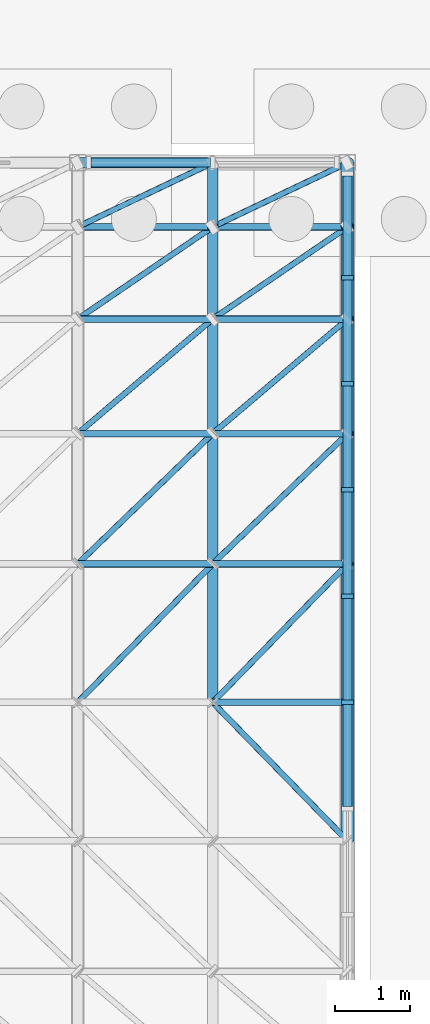
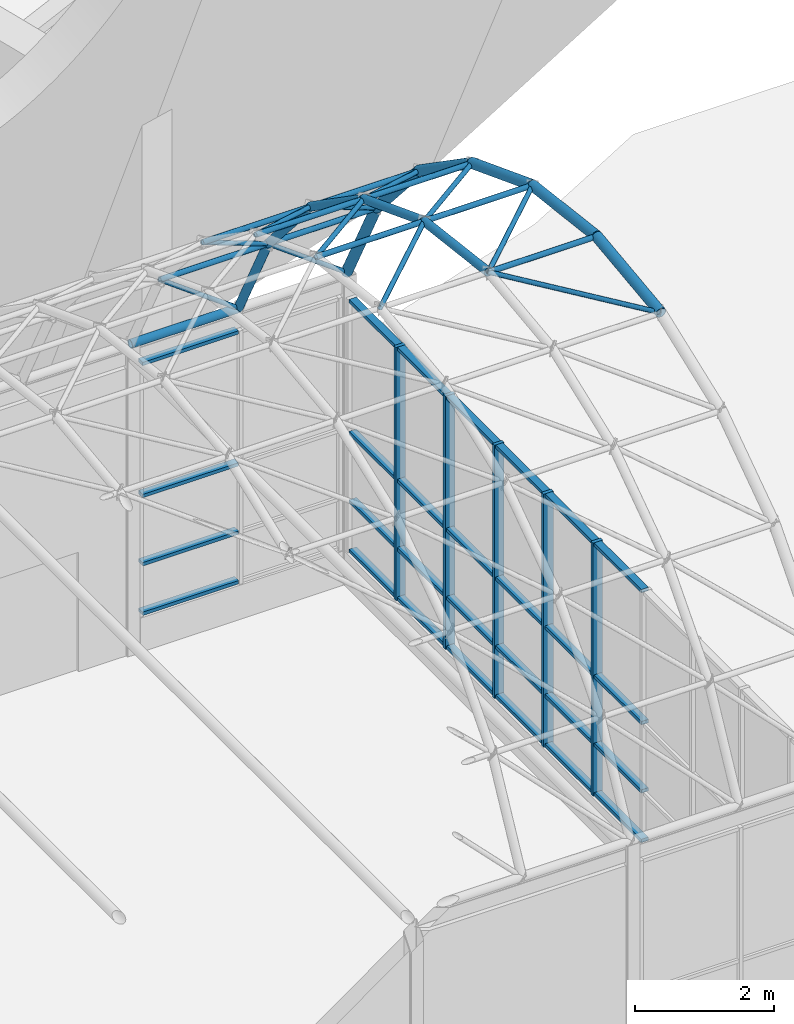
# One storey, part 37 of 116: 65 members, 2 elements without a shape of their own.
"""IFC4 building model written with IfcOpenShell, lengths in metres."""

from ifc_helpers import new_model, si_unit, direction, frame, origin, origin_2d, place, context, subcontext, project, spatial, rectangle, hollow_circle, extrude, material, layer, layer_set, material_profile, profile_set, type_object, element, aggregate, save


model = new_model("IFC4")

# Units and contexts
model_context = context("Model", 3, precision=1e-05, world=origin(), true_north=direction((0.0, 1.0)))
body_context = subcontext(model_context, "Body", "Model", "MODEL_VIEW")
ifc_project = project(units=[si_unit("LENGTHUNIT", "METRE"), si_unit("AREAUNIT", "SQUARE_METRE"), si_unit("VOLUMEUNIT", "CUBIC_METRE"), si_unit("PLANEANGLEUNIT", "RADIAN"), si_unit("MASSUNIT", "GRAM", prefix="KILO")], contexts=[model_context])

# Site, building, storey
site_placement = place(None, origin())
site = spatial("IfcSite", under=ifc_project, at=site_placement, CompositionType="ELEMENT")
building_placement = place(site_placement, origin())
building = spatial("IfcBuilding", under=site, at=building_placement, Name="Ardhachandra Cancer Care Centre", CompositionType="ELEMENT")
storey_placement = place(building_placement, origin())
storey = spatial("IfcBuildingStorey", under=building, at=storey_placement, Name="L00", CompositionType="ELEMENT", Elevation=0.0)

# Curtain wall, members
ifc_material_1 = material(Name="Aluminium extrusion", Category="aluminium")
ifc_layer = layer(ifc_material_1, 0.14990234375)
ifc_layer_set = layer_set([ifc_layer], Name="Aluminium extrusion")
curtain_wall_type = type_object("IfcCurtainWallType", Name="Curtain wall run", PredefinedType="NOTDEFINED", material=ifc_layer_set)
curtain_wall_1_placement = place(storey_placement, origin())
curtain_wall_1 = element("IfcCurtainWall", 1, at=curtain_wall_1_placement, inside=storey, type_object=curtain_wall_type, Name="Curtain wall L00 e/0092400_0007200", PredefinedType="NOTDEFINED")
ifc_material_2 = material(Name="Aluminium extrusion", Category="aluminium")
ifc_material_profile_1 = material_profile(ifc_material_2, rectangle(XDim=0.159912109375, YDim=0.06005859375, at=origin_2d()), Name="Curtain wall mullion 60 x 160")
ifc_profile_set_1 = profile_set([ifc_material_profile_1], Name="Aluminium extrusion")
member_type_1 = type_object("IfcMemberType", Name="Curtain wall mullion 60 x 160", PredefinedType="MULLION", material=ifc_profile_set_1)
member_1_placement = place(storey_placement, frame((92.39990234375, 14.39990234375, 0.60009765625), z_axis=(0.0, 0.0, 1.0), x_axis=(-1.0, 0.0, 0.0)))
member_1 = element("IfcMember", 2, at=member_1_placement, type_object=member_type_1, Name="CW mullion 6", PredefinedType="MULLION", context=body_context, shape_type="SweptSolid", body=[
    extrude(rectangle(XDim=0.159912109375, YDim=0.06005859375, at=origin_2d()), origin(), (0.0, 0.0, 1.0), 4.449951171875),
])
member_2_placement = place(storey_placement, frame((92.39990234375, 15.81689453125, 0.60009765625), z_axis=(0.0, 0.0, 1.0), x_axis=(-1.0, 0.0, 0.0)))
member_2 = element("IfcMember", 3, at=member_2_placement, type_object=member_type_1, Name="CW mullion 7", PredefinedType="MULLION", context=body_context, shape_type="SweptSolid", body=[
    extrude(rectangle(XDim=0.159912109375, YDim=0.06005859375, at=origin_2d()), origin(), (0.0, 0.0, 1.0), 4.449951171875),
])
member_3_placement = place(storey_placement, frame((92.39990234375, 17.23388671875, 0.60009765625), z_axis=(0.0, 0.0, 1.0), x_axis=(-1.0, 0.0, 0.0)))
member_3 = element("IfcMember", 4, at=member_3_placement, type_object=member_type_1, Name="CW mullion 8", PredefinedType="MULLION", context=body_context, shape_type="SweptSolid", body=[
    extrude(rectangle(XDim=0.159912109375, YDim=0.06005859375, at=origin_2d()), origin(), (0.0, 0.0, 1.0), 4.449951171875),
])
member_4_placement = place(storey_placement, frame((92.39990234375, 18.65087890625, 0.60009765625), z_axis=(0.0, 0.0, 1.0), x_axis=(-1.0, 0.0, 0.0)))
member_4 = element("IfcMember", 5, at=member_4_placement, type_object=member_type_1, Name="CW mullion 9", PredefinedType="MULLION", context=body_context, shape_type="SweptSolid", body=[
    extrude(rectangle(XDim=0.159912109375, YDim=0.06005859375, at=origin_2d()), origin(), (0.0, 0.0, 1.0), 4.449951171875),
])
member_5_placement = place(storey_placement, frame((92.39990234375, 20.068115234375, 0.60009765625), z_axis=(0.0, 0.0, 1.0), x_axis=(-1.0, 0.0, 0.0)))
member_5 = element("IfcMember", 6, at=member_5_placement, type_object=member_type_1, Name="CW mullion 10", PredefinedType="MULLION", context=body_context, shape_type="SweptSolid", body=[
    extrude(rectangle(XDim=0.159912109375, YDim=0.06005859375, at=origin_2d()), origin(), (0.0, 0.0, 1.0), 4.449951171875),
])

curtain_wall_2_placement = place(storey_placement, origin())
curtain_wall_2 = element("IfcCurtainWall", 7, at=curtain_wall_2_placement, inside=storey, type_object=curtain_wall_type, Name="Curtain wall L00 n/0088800_0021600", PredefinedType="NOTDEFINED")
ifc_material_3 = material(Name="Aluminium extrusion", Category="aluminium")
ifc_material_profile_2 = material_profile(ifc_material_3, rectangle(XDim=0.1201171875, YDim=0.06005859375, at=origin_2d()), Name="Curtain wall transom 60 x 120")
ifc_profile_set_2 = profile_set([ifc_material_profile_2], Name="Aluminium extrusion")
member_type_2 = type_object("IfcMemberType", Name="Curtain wall transom 60 x 120", PredefinedType="USERDEFINED", material=ifc_profile_set_2)
member_6_placement = place(storey_placement, frame((88.97509765625, 21.60009765625, 0.6298828125), z_axis=(1.0, 0.0, 0.0), x_axis=(0.0, 1.0, 0.0)))
member_6 = element("IfcMember", 8, at=member_6_placement, type_object=member_type_2, Name="CW transom 1.1", ObjectType="TRANSOM", PredefinedType="USERDEFINED", context=body_context, shape_type="SweptSolid", body=[
    extrude(rectangle(XDim=0.1201171875, YDim=0.06005859375, at=origin_2d()), origin(), (0.0, 0.0, 1.0), 1.594970703125),
])
member_7_placement = place(storey_placement, frame((88.97509765625, 21.60009765625, 1.5), z_axis=(1.0, 0.0, 0.0), x_axis=(0.0, 1.0, 0.0)))
member_7 = element("IfcMember", 9, at=member_7_placement, type_object=member_type_2, Name="CW transom 1.2", ObjectType="TRANSOM", PredefinedType="USERDEFINED", context=body_context, shape_type="SweptSolid", body=[
    extrude(rectangle(XDim=0.1201171875, YDim=0.06005859375, at=origin_2d()), origin(), (0.0, 0.0, 1.0), 1.594970703125),
])
member_8_placement = place(storey_placement, frame((88.97509765625, 21.60009765625, 2.699951171875), z_axis=(1.0, 0.0, 0.0), x_axis=(0.0, 1.0, 0.0)))
member_8 = element("IfcMember", 10, at=member_8_placement, type_object=member_type_2, Name="CW transom 1.3", ObjectType="TRANSOM", PredefinedType="USERDEFINED", context=body_context, shape_type="SweptSolid", body=[
    extrude(rectangle(XDim=0.1201171875, YDim=0.06005859375, at=origin_2d()), origin(), (0.0, 0.0, 1.0), 1.594970703125),
])
member_9_placement = place(storey_placement, frame((88.97509765625, 21.60009765625, 5.02001953125), z_axis=(1.0, 0.0, 0.0), x_axis=(0.0, 1.0, 0.0)))
member_9 = element("IfcMember", 11, at=member_9_placement, type_object=member_type_2, Name="CW transom 1.4", ObjectType="TRANSOM", PredefinedType="USERDEFINED", context=body_context, shape_type="SweptSolid", body=[
    extrude(rectangle(XDim=0.1201171875, YDim=0.06005859375, at=origin_2d()), origin(), (0.0, 0.0, 1.0), 1.594970703125),
])
aggregate(curtain_wall_2, [member_6, member_7, member_8, member_9])

# Member
member_10_placement = place(storey_placement, frame((92.39990234375, 13.012939453125, 0.6298828125), z_axis=(0.0, 1.0, 0.0), x_axis=(-1.0, 0.0, 0.0)))
member_10 = element("IfcMember", 12, at=member_10_placement, type_object=member_type_2, Name="CW transom 5.1", ObjectType="TRANSOM", PredefinedType="USERDEFINED", context=body_context, shape_type="SweptSolid", body=[
    extrude(rectangle(XDim=0.1201171875, YDim=0.06005859375, at=origin_2d()), origin(), (0.0, 0.0, 1.0), 1.357177734375),
])

member_11_placement = place(storey_placement, frame((92.39990234375, 13.012939453125, 1.5), z_axis=(0.0, 1.0, 0.0), x_axis=(-1.0, 0.0, 0.0)))
member_11 = element("IfcMember", 13, at=member_11_placement, type_object=member_type_2, Name="CW transom 5.2", ObjectType="TRANSOM", PredefinedType="USERDEFINED", context=body_context, shape_type="SweptSolid", body=[
    extrude(rectangle(XDim=0.1201171875, YDim=0.06005859375, at=origin_2d()), origin(), (0.0, 0.0, 1.0), 1.357177734375),
])

member_12_placement = place(storey_placement, frame((92.39990234375, 13.012939453125, 2.699951171875), z_axis=(0.0, 1.0, 0.0), x_axis=(-1.0, 0.0, 0.0)))
member_12 = element("IfcMember", 14, at=member_12_placement, type_object=member_type_2, Name="CW transom 5.3", ObjectType="TRANSOM", PredefinedType="USERDEFINED", context=body_context, shape_type="SweptSolid", body=[
    extrude(rectangle(XDim=0.1201171875, YDim=0.06005859375, at=origin_2d()), origin(), (0.0, 0.0, 1.0), 1.357177734375),
])

member_13_placement = place(storey_placement, frame((92.39990234375, 13.012939453125, 5.02001953125), z_axis=(0.0, 1.0, 0.0), x_axis=(-1.0, 0.0, 0.0)))
member_13 = element("IfcMember", 15, at=member_13_placement, type_object=member_type_2, Name="CW transom 5.4", ObjectType="TRANSOM", PredefinedType="USERDEFINED", context=body_context, shape_type="SweptSolid", body=[
    extrude(rectangle(XDim=0.1201171875, YDim=0.06005859375, at=origin_2d()), origin(), (0.0, 0.0, 1.0), 1.357177734375),
])

member_14_placement = place(storey_placement, frame((92.39990234375, 14.429931640625, 0.6298828125), z_axis=(0.0, 1.0, 0.0), x_axis=(-1.0, 0.0, 0.0)))
member_14 = element("IfcMember", 16, at=member_14_placement, type_object=member_type_2, Name="CW transom 6.1", ObjectType="TRANSOM", PredefinedType="USERDEFINED", context=body_context, shape_type="SweptSolid", body=[
    extrude(rectangle(XDim=0.1201171875, YDim=0.06005859375, at=origin_2d()), origin(), (0.0, 0.0, 1.0), 1.357177734375),
])

member_15_placement = place(storey_placement, frame((92.39990234375, 14.429931640625, 1.5), z_axis=(0.0, 1.0, 0.0), x_axis=(-1.0, 0.0, 0.0)))
member_15 = element("IfcMember", 17, at=member_15_placement, type_object=member_type_2, Name="CW transom 6.2", ObjectType="TRANSOM", PredefinedType="USERDEFINED", context=body_context, shape_type="SweptSolid", body=[
    extrude(rectangle(XDim=0.1201171875, YDim=0.06005859375, at=origin_2d()), origin(), (0.0, 0.0, 1.0), 1.357177734375),
])

member_16_placement = place(storey_placement, frame((92.39990234375, 14.429931640625, 2.699951171875), z_axis=(0.0, 1.0, 0.0), x_axis=(-1.0, 0.0, 0.0)))
member_16 = element("IfcMember", 18, at=member_16_placement, type_object=member_type_2, Name="CW transom 6.3", ObjectType="TRANSOM", PredefinedType="USERDEFINED", context=body_context, shape_type="SweptSolid", body=[
    extrude(rectangle(XDim=0.1201171875, YDim=0.06005859375, at=origin_2d()), origin(), (0.0, 0.0, 1.0), 1.357177734375),
])

member_17_placement = place(storey_placement, frame((92.39990234375, 14.429931640625, 5.02001953125), z_axis=(0.0, 1.0, 0.0), x_axis=(-1.0, 0.0, 0.0)))
member_17 = element("IfcMember", 19, at=member_17_placement, type_object=member_type_2, Name="CW transom 6.4", ObjectType="TRANSOM", PredefinedType="USERDEFINED", context=body_context, shape_type="SweptSolid", body=[
    extrude(rectangle(XDim=0.1201171875, YDim=0.06005859375, at=origin_2d()), origin(), (0.0, 0.0, 1.0), 1.357177734375),
])

member_18_placement = place(storey_placement, frame((92.39990234375, 15.846923828125, 0.6298828125), z_axis=(0.0, 1.0, 0.0), x_axis=(-1.0, 0.0, 0.0)))
member_18 = element("IfcMember", 20, at=member_18_placement, type_object=member_type_2, Name="CW transom 7.1", ObjectType="TRANSOM", PredefinedType="USERDEFINED", context=body_context, shape_type="SweptSolid", body=[
    extrude(rectangle(XDim=0.1201171875, YDim=0.06005859375, at=origin_2d()), origin(), (0.0, 0.0, 1.0), 1.357177734375),
])

member_19_placement = place(storey_placement, frame((92.39990234375, 15.846923828125, 1.5), z_axis=(0.0, 1.0, 0.0), x_axis=(-1.0, 0.0, 0.0)))
member_19 = element("IfcMember", 21, at=member_19_placement, type_object=member_type_2, Name="CW transom 7.2", ObjectType="TRANSOM", PredefinedType="USERDEFINED", context=body_context, shape_type="SweptSolid", body=[
    extrude(rectangle(XDim=0.1201171875, YDim=0.06005859375, at=origin_2d()), origin(), (0.0, 0.0, 1.0), 1.357177734375),
])

member_20_placement = place(storey_placement, frame((92.39990234375, 15.846923828125, 2.699951171875), z_axis=(0.0, 1.0, 0.0), x_axis=(-1.0, 0.0, 0.0)))
member_20 = element("IfcMember", 22, at=member_20_placement, type_object=member_type_2, Name="CW transom 7.3", ObjectType="TRANSOM", PredefinedType="USERDEFINED", context=body_context, shape_type="SweptSolid", body=[
    extrude(rectangle(XDim=0.1201171875, YDim=0.06005859375, at=origin_2d()), origin(), (0.0, 0.0, 1.0), 1.357177734375),
])

member_21_placement = place(storey_placement, frame((92.39990234375, 15.846923828125, 5.02001953125), z_axis=(0.0, 1.0, 0.0), x_axis=(-1.0, 0.0, 0.0)))
member_21 = element("IfcMember", 23, at=member_21_placement, type_object=member_type_2, Name="CW transom 7.4", ObjectType="TRANSOM", PredefinedType="USERDEFINED", context=body_context, shape_type="SweptSolid", body=[
    extrude(rectangle(XDim=0.1201171875, YDim=0.06005859375, at=origin_2d()), origin(), (0.0, 0.0, 1.0), 1.357177734375),
])

member_22_placement = place(storey_placement, frame((92.39990234375, 17.263916015625, 0.6298828125), z_axis=(0.0, 1.0, 0.0), x_axis=(-1.0, 0.0, 0.0)))
member_22 = element("IfcMember", 24, at=member_22_placement, type_object=member_type_2, Name="CW transom 8.1", ObjectType="TRANSOM", PredefinedType="USERDEFINED", context=body_context, shape_type="SweptSolid", body=[
    extrude(rectangle(XDim=0.1201171875, YDim=0.06005859375, at=origin_2d()), origin(), (0.0, 0.0, 1.0), 1.357177734375),
])

member_23_placement = place(storey_placement, frame((92.39990234375, 17.263916015625, 1.5), z_axis=(0.0, 1.0, 0.0), x_axis=(-1.0, 0.0, 0.0)))
member_23 = element("IfcMember", 25, at=member_23_placement, type_object=member_type_2, Name="CW transom 8.2", ObjectType="TRANSOM", PredefinedType="USERDEFINED", context=body_context, shape_type="SweptSolid", body=[
    extrude(rectangle(XDim=0.1201171875, YDim=0.06005859375, at=origin_2d()), origin(), (0.0, 0.0, 1.0), 1.357177734375),
])

member_24_placement = place(storey_placement, frame((92.39990234375, 17.263916015625, 2.699951171875), z_axis=(0.0, 1.0, 0.0), x_axis=(-1.0, 0.0, 0.0)))
member_24 = element("IfcMember", 26, at=member_24_placement, type_object=member_type_2, Name="CW transom 8.3", ObjectType="TRANSOM", PredefinedType="USERDEFINED", context=body_context, shape_type="SweptSolid", body=[
    extrude(rectangle(XDim=0.1201171875, YDim=0.06005859375, at=origin_2d()), origin(), (0.0, 0.0, 1.0), 1.357177734375),
])

member_25_placement = place(storey_placement, frame((92.39990234375, 17.263916015625, 5.02001953125), z_axis=(0.0, 1.0, 0.0), x_axis=(-1.0, 0.0, 0.0)))
member_25 = element("IfcMember", 27, at=member_25_placement, type_object=member_type_2, Name="CW transom 8.4", ObjectType="TRANSOM", PredefinedType="USERDEFINED", context=body_context, shape_type="SweptSolid", body=[
    extrude(rectangle(XDim=0.1201171875, YDim=0.06005859375, at=origin_2d()), origin(), (0.0, 0.0, 1.0), 1.357177734375),
])

member_26_placement = place(storey_placement, frame((92.39990234375, 18.680908203125, 0.6298828125), z_axis=(0.0, 1.0, 0.0), x_axis=(-1.0, 0.0, 0.0)))
member_26 = element("IfcMember", 28, at=member_26_placement, type_object=member_type_2, Name="CW transom 9.1", ObjectType="TRANSOM", PredefinedType="USERDEFINED", context=body_context, shape_type="SweptSolid", body=[
    extrude(rectangle(XDim=0.1201171875, YDim=0.06005859375, at=origin_2d()), origin(), (0.0, 0.0, 1.0), 1.357177734375),
])

member_27_placement = place(storey_placement, frame((92.39990234375, 18.680908203125, 1.5), z_axis=(0.0, 1.0, 0.0), x_axis=(-1.0, 0.0, 0.0)))
member_27 = element("IfcMember", 29, at=member_27_placement, type_object=member_type_2, Name="CW transom 9.2", ObjectType="TRANSOM", PredefinedType="USERDEFINED", context=body_context, shape_type="SweptSolid", body=[
    extrude(rectangle(XDim=0.1201171875, YDim=0.06005859375, at=origin_2d()), origin(), (0.0, 0.0, 1.0), 1.357177734375),
])

member_28_placement = place(storey_placement, frame((92.39990234375, 18.680908203125, 2.699951171875), z_axis=(0.0, 1.0, 0.0), x_axis=(-1.0, 0.0, 0.0)))
member_28 = element("IfcMember", 30, at=member_28_placement, type_object=member_type_2, Name="CW transom 9.3", ObjectType="TRANSOM", PredefinedType="USERDEFINED", context=body_context, shape_type="SweptSolid", body=[
    extrude(rectangle(XDim=0.1201171875, YDim=0.06005859375, at=origin_2d()), origin(), (0.0, 0.0, 1.0), 1.357177734375),
])

member_29_placement = place(storey_placement, frame((92.39990234375, 18.680908203125, 5.02001953125), z_axis=(0.0, 1.0, 0.0), x_axis=(-1.0, 0.0, 0.0)))
member_29 = element("IfcMember", 31, at=member_29_placement, type_object=member_type_2, Name="CW transom 9.4", ObjectType="TRANSOM", PredefinedType="USERDEFINED", context=body_context, shape_type="SweptSolid", body=[
    extrude(rectangle(XDim=0.1201171875, YDim=0.06005859375, at=origin_2d()), origin(), (0.0, 0.0, 1.0), 1.357177734375),
])

member_30_placement = place(storey_placement, frame((92.39990234375, 20.097900390625, 0.6298828125), z_axis=(0.0, 1.0, 0.0), x_axis=(-1.0, 0.0, 0.0)))
member_30 = element("IfcMember", 32, at=member_30_placement, type_object=member_type_2, Name="CW transom 10.1", ObjectType="TRANSOM", PredefinedType="USERDEFINED", context=body_context, shape_type="SweptSolid", body=[
    extrude(rectangle(XDim=0.1201171875, YDim=0.06005859375, at=origin_2d()), origin(), (0.0, 0.0, 1.0), 1.3271484375),
])

member_31_placement = place(storey_placement, frame((92.39990234375, 20.097900390625, 1.5), z_axis=(0.0, 1.0, 0.0), x_axis=(-1.0, 0.0, 0.0)))
member_31 = element("IfcMember", 33, at=member_31_placement, type_object=member_type_2, Name="CW transom 10.2", ObjectType="TRANSOM", PredefinedType="USERDEFINED", context=body_context, shape_type="SweptSolid", body=[
    extrude(rectangle(XDim=0.1201171875, YDim=0.06005859375, at=origin_2d()), origin(), (0.0, 0.0, 1.0), 1.3271484375),
])

member_32_placement = place(storey_placement, frame((92.39990234375, 20.097900390625, 2.699951171875), z_axis=(0.0, 1.0, 0.0), x_axis=(-1.0, 0.0, 0.0)))
member_32 = element("IfcMember", 34, at=member_32_placement, type_object=member_type_2, Name="CW transom 10.3", ObjectType="TRANSOM", PredefinedType="USERDEFINED", context=body_context, shape_type="SweptSolid", body=[
    extrude(rectangle(XDim=0.1201171875, YDim=0.06005859375, at=origin_2d()), origin(), (0.0, 0.0, 1.0), 1.3271484375),
])

member_33_placement = place(storey_placement, frame((92.39990234375, 20.097900390625, 5.02001953125), z_axis=(0.0, 1.0, 0.0), x_axis=(-1.0, 0.0, 0.0)))
member_33 = element("IfcMember", 35, at=member_33_placement, type_object=member_type_2, Name="CW transom 10.4", ObjectType="TRANSOM", PredefinedType="USERDEFINED", context=body_context, shape_type="SweptSolid", body=[
    extrude(rectangle(XDim=0.1201171875, YDim=0.06005859375, at=origin_2d()), origin(), (0.0, 0.0, 1.0), 1.3271484375),
])

aggregate(curtain_wall_1, [member_1, member_2, member_3, member_4, member_5, member_10, member_11, member_12, member_13, member_14, member_15, member_16, member_17, member_18, member_19, member_20, member_21, member_22, member_23, member_24, member_25, member_26, member_27, member_28, member_29, member_30, member_31, member_32, member_33])

# Members
ifc_material_4 = material(Name="Steel E350 (IS 2062)", Category="steel")
ifc_material_profile_3 = material_profile(ifc_material_4, hollow_circle(Radius=0.0380859375, WallThickness=0.00390625, at=origin_2d()), Name="CHS 76.1x4.0")
ifc_profile_set_3 = profile_set([ifc_material_profile_3], Name="Steel E350 (IS 2062)")
member_type_3 = type_object("IfcMemberType", Name="Pavilion shell Diagonal CHS 76.1x4.0", PredefinedType="BRACE", material=ifc_profile_set_3)
for number, where, z_axis, x_axis, name in (
    (36, (88.800048828125, 14.39990234375, 10.39990234375), (0.695217937392, 0.713510664891, -0.087031894237), (-0.716228375072, 0.697865971905, 0.0), "Pavilion shell diagonal 14-05"),
    (37, (88.800048828125, 16.247314453125, 10.174560546875), (0.69522740722, 0.671653983674, -0.25600737971), (-0.694808600346, 0.7191946947, 0.0), "Pavilion shell diagonal 14-06"),
    (38, (88.800048828125, 17.986328125, 9.51171875), (0.695237078341, 0.590381031804, -0.409994685559), (-0.647285228249, 0.762247881788, 0.0), "Pavilion shell diagonal 14-07"),
):
    element("IfcMember", number, at=place(storey_placement, frame(where, z_axis=z_axis, x_axis=x_axis)), inside=storey, type_object=member_type_3, Name=name, PredefinedType="BRACE", context=body_context, shape_type="SweptSolid", body=[
        extrude(hollow_circle(Radius=0.0380859375, WallThickness=0.00390625, at=origin_2d()), origin(), (0.0, 0.0, 1.0), 2.589111328125),
    ])
member_34_placement = place(storey_placement, frame((88.800048828125, 19.514892578125, 8.4501953125), z_axis=(0.695197085973, 0.474559464764, -0.539902144891), x_axis=(-0.563792083266, 0.825916755398, 0.0)))
element("IfcMember", 39, at=member_34_placement, inside=storey, type_object=member_type_3, Name="Pavilion shell diagonal 14-08", PredefinedType="BRACE", context=body_context, shape_type="SweptSolid", body=[
    extrude(hollow_circle(Radius=0.0380859375, WallThickness=0.00390625, at=origin_2d()), origin(), (0.0, 0.0, 1.0), 2.58935546875),
])
member_35_placement = place(storey_placement, frame((88.800048828125, 20.74365234375, 7.05224609375), z_axis=(0.695216484809, 0.330777082424, -0.638169696079), x_axis=(-0.429638804888, 0.903000829088, 0.0)))
element("IfcMember", 40, at=member_35_placement, inside=storey, type_object=member_type_3, Name="Pavilion shell diagonal 14-09", PredefinedType="BRACE", context=body_context, shape_type="SweptSolid", body=[
    extrude(hollow_circle(Radius=0.0380859375, WallThickness=0.00390625, at=origin_2d()), origin(), (0.0, 0.0, 1.0), 2.589111328125),
])
member_36_placement = place(storey_placement, frame((92.39990234375, 12.552734375, 10.174560546875), z_axis=(-0.695215992153, 0.713511149841, 0.087043456424), x_axis=(-0.716229588145, -0.69786472691, 0.0)))
element("IfcMember", 41, at=member_36_placement, inside=storey, type_object=member_type_3, Name="Pavilion shell diagonal 16-04", PredefinedType="BRACE", context=body_context, shape_type="SweptSolid", body=[
    extrude(hollow_circle(Radius=0.0380859375, WallThickness=0.00390625, at=origin_2d()), origin(), (0.0, 0.0, 1.0), 2.5888671875),
])
member_37_placement = place(storey_placement, frame((90.60009765625, 14.39990234375, 10.39990234375), z_axis=(0.695169214351, 0.713557439636, -0.087037599681), x_axis=(-0.716275686375, 0.697817412443, 0.0)))
element("IfcMember", 42, at=member_37_placement, inside=storey, type_object=member_type_3, Name="Pavilion shell diagonal 15-05", PredefinedType="BRACE", context=body_context, shape_type="SweptSolid", body=[
    extrude(hollow_circle(Radius=0.0380859375, WallThickness=0.00390625, at=origin_2d()), origin(), (0.0, 0.0, 1.0), 2.589111328125),
])
for number, where, z_axis, x_axis, name in (
    (43, (90.60009765625, 16.247314453125, 10.174560546875), (0.695178684757, 0.671698015671, -0.256024162929), (-0.694857345354, 0.71914759932, 0.0), "Pavilion shell diagonal 15-06"),
    (44, (90.60009765625, 17.986328125, 9.51171875), (0.695188356468, 0.590419736821, -0.410021564558), (-0.647336239479, 0.762204561163, 0.0), "Pavilion shell diagonal 15-07"),
):
    element("IfcMember", number, at=place(storey_placement, frame(where, z_axis=z_axis, x_axis=x_axis)), inside=storey, type_object=member_type_3, Name=name, PredefinedType="BRACE", context=body_context, shape_type="SweptSolid", body=[
        extrude(hollow_circle(Radius=0.0380859375, WallThickness=0.00390625, at=origin_2d()), origin(), (0.0, 0.0, 1.0), 2.5888671875),
    ])
for number, where, z_axis, x_axis, name in (
    (45, (90.60009765625, 19.514892578125, 8.4501953125), (0.69514836166, 0.474590573011, -0.539937536471), (-0.563844248133, 0.825881143898, 0.0), "Pavilion shell diagonal 15-08"),
    (46, (90.60009765625, 20.74365234375, 7.05224609375), (0.69516776168, 0.330798766681, -0.638211531613), (-0.429686325077, 0.902978217922, 0.0), "Pavilion shell diagonal 15-09"),
):
    element("IfcMember", number, at=place(storey_placement, frame(where, z_axis=z_axis, x_axis=x_axis)), inside=storey, type_object=member_type_3, Name=name, PredefinedType="BRACE", context=body_context, shape_type="SweptSolid", body=[
        extrude(hollow_circle(Radius=0.0380859375, WallThickness=0.00390625, at=origin_2d()), origin(), (0.0, 0.0, 1.0), 2.589111328125),
    ])
ifc_material_5 = material(Name="Steel E350 (IS 2062)", Category="steel")
ifc_material_profile_4 = material_profile(ifc_material_5, hollow_circle(Radius=0.06982421875, WallThickness=0.0048828125, at=origin_2d()), Name="CHS 139.7x5.0")
ifc_profile_set_4 = profile_set([ifc_material_profile_4], Name="Steel E350 (IS 2062)")
member_type_4 = type_object("IfcMemberType", Name="Pavilion shell Purlin CHS 139.7x5.0", PredefinedType="PURLIN", material=ifc_profile_set_4)
member_38_placement = place(storey_placement, frame((88.800048828125, 21.60009765625, 5.39990234375), z_axis=(1.0, 0.0, 0.0), x_axis=(0.0, 1.0, 0.0)))
element("IfcMember", 47, at=member_38_placement, inside=storey, type_object=member_type_4, Name="Pavilion shell purlin 14-10", PredefinedType="PURLIN", context=body_context, shape_type="SweptSolid", body=[
    extrude(hollow_circle(Radius=0.06982421875, WallThickness=0.0048828125, at=origin_2d()), origin(), (0.0, 0.0, 1.0), 1.800048828125),
])
ifc_material_6 = material(Name="Steel E350 (IS 2062)", Category="steel")
ifc_material_profile_5 = material_profile(ifc_material_6, hollow_circle(Radius=0.04443359375, WallThickness=0.00390625, at=origin_2d()), Name="CHS 88.9x4.0")
ifc_profile_set_5 = profile_set([ifc_material_profile_5], Name="Steel E350 (IS 2062)")
member_type_5 = type_object("IfcMemberType", Name="Pavilion shell Purlin CHS 88.9x4.0", PredefinedType="PURLIN", material=ifc_profile_set_5)
member_39_placement = place(storey_placement, frame((90.60009765625, 14.39990234375, 10.39990234375), z_axis=(1.0, 0.0, 0.0), x_axis=(0.0, 1.0, 0.0)))
element("IfcMember", 48, at=member_39_placement, inside=storey, type_object=member_type_5, Name="Pavilion shell purlin 15-05", PredefinedType="PURLIN", context=body_context, shape_type="SweptSolid", body=[
    extrude(hollow_circle(Radius=0.04443359375, WallThickness=0.00390625, at=origin_2d()), origin(), (0.0, 0.0, 1.0), 1.7998046875),
])
member_40_placement = place(storey_placement, frame((88.800048828125, 16.247314453125, 10.174560546875), z_axis=(1.0, 0.0, 0.0), x_axis=(0.0, 1.0, 0.0)))
element("IfcMember", 49, at=member_40_placement, inside=storey, type_object=member_type_5, Name="Pavilion shell purlin 14-06", PredefinedType="PURLIN", context=body_context, shape_type="SweptSolid", body=[
    extrude(hollow_circle(Radius=0.04443359375, WallThickness=0.00390625, at=origin_2d()), origin(), (0.0, 0.0, 1.0), 1.800048828125),
])
member_41_placement = place(storey_placement, frame((90.60009765625, 16.247314453125, 10.174560546875), z_axis=(1.0, 0.0, 0.0), x_axis=(0.0, 1.0, 0.0)))
element("IfcMember", 50, at=member_41_placement, inside=storey, type_object=member_type_5, Name="Pavilion shell purlin 15-06", PredefinedType="PURLIN", context=body_context, shape_type="SweptSolid", body=[
    extrude(hollow_circle(Radius=0.04443359375, WallThickness=0.00390625, at=origin_2d()), origin(), (0.0, 0.0, 1.0), 1.7998046875),
])
member_42_placement = place(storey_placement, frame((88.800048828125, 17.986328125, 9.51171875), z_axis=(1.0, 0.0, 0.0), x_axis=(0.0, 1.0, 0.0)))
element("IfcMember", 51, at=member_42_placement, inside=storey, type_object=member_type_5, Name="Pavilion shell purlin 14-07", PredefinedType="PURLIN", context=body_context, shape_type="SweptSolid", body=[
    extrude(hollow_circle(Radius=0.04443359375, WallThickness=0.00390625, at=origin_2d()), origin(), (0.0, 0.0, 1.0), 1.800048828125),
])
member_43_placement = place(storey_placement, frame((90.60009765625, 17.986328125, 9.51171875), z_axis=(1.0, 0.0, 0.0), x_axis=(0.0, 1.0, 0.0)))
element("IfcMember", 52, at=member_43_placement, inside=storey, type_object=member_type_5, Name="Pavilion shell purlin 15-07", PredefinedType="PURLIN", context=body_context, shape_type="SweptSolid", body=[
    extrude(hollow_circle(Radius=0.04443359375, WallThickness=0.00390625, at=origin_2d()), origin(), (0.0, 0.0, 1.0), 1.7998046875),
])
member_44_placement = place(storey_placement, frame((88.800048828125, 19.514892578125, 8.4501953125), z_axis=(1.0, 0.0, 0.0), x_axis=(0.0, 1.0, 0.0)))
element("IfcMember", 53, at=member_44_placement, inside=storey, type_object=member_type_5, Name="Pavilion shell purlin 14-08", PredefinedType="PURLIN", context=body_context, shape_type="SweptSolid", body=[
    extrude(hollow_circle(Radius=0.04443359375, WallThickness=0.00390625, at=origin_2d()), origin(), (0.0, 0.0, 1.0), 1.800048828125),
])
member_45_placement = place(storey_placement, frame((90.60009765625, 19.514892578125, 8.4501953125), z_axis=(1.0, 0.0, 0.0), x_axis=(0.0, 1.0, 0.0)))
element("IfcMember", 54, at=member_45_placement, inside=storey, type_object=member_type_5, Name="Pavilion shell purlin 15-08", PredefinedType="PURLIN", context=body_context, shape_type="SweptSolid", body=[
    extrude(hollow_circle(Radius=0.04443359375, WallThickness=0.00390625, at=origin_2d()), origin(), (0.0, 0.0, 1.0), 1.7998046875),
])
member_46_placement = place(storey_placement, frame((88.800048828125, 20.74365234375, 7.05224609375), z_axis=(1.0, 0.0, 0.0), x_axis=(0.0, 1.0, 0.0)))
element("IfcMember", 55, at=member_46_placement, inside=storey, type_object=member_type_5, Name="Pavilion shell purlin 14-09", PredefinedType="PURLIN", context=body_context, shape_type="SweptSolid", body=[
    extrude(hollow_circle(Radius=0.04443359375, WallThickness=0.00390625, at=origin_2d()), origin(), (0.0, 0.0, 1.0), 1.800048828125),
])
member_47_placement = place(storey_placement, frame((90.60009765625, 20.74365234375, 7.05224609375), z_axis=(1.0, 0.0, 0.0), x_axis=(0.0, 1.0, 0.0)))
element("IfcMember", 56, at=member_47_placement, inside=storey, type_object=member_type_5, Name="Pavilion shell purlin 15-09", PredefinedType="PURLIN", context=body_context, shape_type="SweptSolid", body=[
    extrude(hollow_circle(Radius=0.04443359375, WallThickness=0.00390625, at=origin_2d()), origin(), (0.0, 0.0, 1.0), 1.7998046875),
])
ifc_material_7 = material(Name="Steel E350 (IS 2062)", Category="steel")
ifc_material_profile_6 = material_profile(ifc_material_7, hollow_circle(Radius=0.06982421875, WallThickness=0.0048828125, at=origin_2d()), Name="CHS 139.7x5.0")
ifc_profile_set_6 = profile_set([ifc_material_profile_6], Name="Steel E350 (IS 2062)")
member_type_6 = type_object("IfcMemberType", Name="Pavilion shell Rib CHS 139.7x5.0", PredefinedType="RAFTER", material=ifc_profile_set_6)
for number, where, z_axis, x_axis, name in (
    (57, (90.60009765625, 14.39990234375, 10.39990234375), (0.0, 0.992642801486, -0.121079596375), (-1.0, 0.0, 0.0), "Pavilion shell rib 15-05"),
    (58, (90.60009765625, 16.247314453125, 10.174560546875), (0.0, 0.934423296617, -0.356164432165), (-1.0, 0.0, 0.0), "Pavilion shell rib 15-06"),
    (59, (90.60009765625, 17.986328125, 9.51171875), (0.0, 0.821364843797, -0.570403184927), (-1.0, 0.0, 0.0), "Pavilion shell rib 15-07"),
):
    element("IfcMember", number, at=place(storey_placement, frame(where, z_axis=z_axis, x_axis=x_axis)), inside=storey, type_object=member_type_6, Name=name, PredefinedType="RAFTER", context=body_context, shape_type="SweptSolid", body=[
        extrude(hollow_circle(Radius=0.06982421875, WallThickness=0.0048828125, at=origin_2d()), origin(), (0.0, 0.0, 1.0), 1.861083984375),
    ])
member_48_placement = place(storey_placement, frame((90.60009765625, 19.514892578125, 8.4501953125), z_axis=(0.0, 0.660193103956, -0.751095909647), x_axis=(-1.0, 0.0, 0.0)))
element("IfcMember", 60, at=member_48_placement, inside=storey, type_object=member_type_6, Name="Pavilion shell rib 15-08", PredefinedType="RAFTER", context=body_context, shape_type="SweptSolid", body=[
    extrude(hollow_circle(Radius=0.06982421875, WallThickness=0.0048828125, at=origin_2d()), origin(), (0.0, 0.0, 1.0), 1.861328125),
])
member_49_placement = place(storey_placement, frame((90.60009765625, 20.74365234375, 7.05224609375), z_axis=(0.0, 0.460179313582, -0.8878259961), x_axis=(-1.0, 0.0, 0.0)))
element("IfcMember", 61, at=member_49_placement, inside=storey, type_object=member_type_6, Name="Pavilion shell rib 15-09", PredefinedType="RAFTER", context=body_context, shape_type="SweptSolid", body=[
    extrude(hollow_circle(Radius=0.06982421875, WallThickness=0.0048828125, at=origin_2d()), origin(), (0.0, 0.0, 1.0), 1.861083984375),
])
ifc_material_8 = material(Name="Steel E350 (IS 2062)", Category="steel")
ifc_material_profile_7 = material_profile(ifc_material_8, hollow_circle(Radius=0.084228515625, WallThickness=0.00634765625, at=origin_2d()), Name="CHS 168.3x6.3")
ifc_profile_set_7 = profile_set([ifc_material_profile_7], Name="Steel E350 (IS 2062)")
member_type_7 = type_object("IfcMemberType", Name="Pavilion shell Rib CHS 168.3x6.3", PredefinedType="RAFTER", material=ifc_profile_set_7)
member_50_placement = place(storey_placement, frame((92.39990234375, 12.552734375, 10.174560546875), z_axis=(0.0, 0.992640877969, 0.121095364838), x_axis=(-1.0, 0.0, 0.0)))
element("IfcMember", 62, at=member_50_placement, inside=storey, type_object=member_type_7, Name="Pavilion shell rib 16-04", PredefinedType="RAFTER", context=body_context, shape_type="SweptSolid", body=[
    extrude(hollow_circle(Radius=0.084228515625, WallThickness=0.00634765625, at=origin_2d()), origin(), (0.0, 0.0, 1.0), 1.86083984375),
])
for number, where, z_axis, x_axis, name in (
    (63, (92.39990234375, 14.39990234375, 10.39990234375), (0.0, 0.992642801486, -0.121079596375), (-1.0, 0.0, 0.0), "Pavilion shell rib 16-05"),
    (64, (92.39990234375, 16.247314453125, 10.174560546875), (0.0, 0.934423296617, -0.356164432165), (-1.0, 0.0, 0.0), "Pavilion shell rib 16-06"),
    (65, (92.39990234375, 17.986328125, 9.51171875), (0.0, 0.821364843797, -0.570403184927), (-1.0, 0.0, 0.0), "Pavilion shell rib 16-07"),
):
    element("IfcMember", number, at=place(storey_placement, frame(where, z_axis=z_axis, x_axis=x_axis)), inside=storey, type_object=member_type_7, Name=name, PredefinedType="RAFTER", context=body_context, shape_type="SweptSolid", body=[
        extrude(hollow_circle(Radius=0.084228515625, WallThickness=0.00634765625, at=origin_2d()), origin(), (0.0, 0.0, 1.0), 1.861083984375),
    ])
member_51_placement = place(storey_placement, frame((92.39990234375, 19.514892578125, 8.4501953125), z_axis=(0.0, 0.660193103956, -0.751095909647), x_axis=(-1.0, 0.0, 0.0)))
element("IfcMember", 66, at=member_51_placement, inside=storey, type_object=member_type_7, Name="Pavilion shell rib 16-08", PredefinedType="RAFTER", context=body_context, shape_type="SweptSolid", body=[
    extrude(hollow_circle(Radius=0.084228515625, WallThickness=0.00634765625, at=origin_2d()), origin(), (0.0, 0.0, 1.0), 1.861328125),
])
member_52_placement = place(storey_placement, frame((92.39990234375, 20.74365234375, 7.05224609375), z_axis=(0.0, 0.460179313582, -0.8878259961), x_axis=(-1.0, 0.0, 0.0)))
element("IfcMember", 67, at=member_52_placement, inside=storey, type_object=member_type_7, Name="Pavilion shell rib 16-09", PredefinedType="RAFTER", context=body_context, shape_type="SweptSolid", body=[
    extrude(hollow_circle(Radius=0.084228515625, WallThickness=0.00634765625, at=origin_2d()), origin(), (0.0, 0.0, 1.0), 1.861083984375),
])

save(model, "model.ifc")
